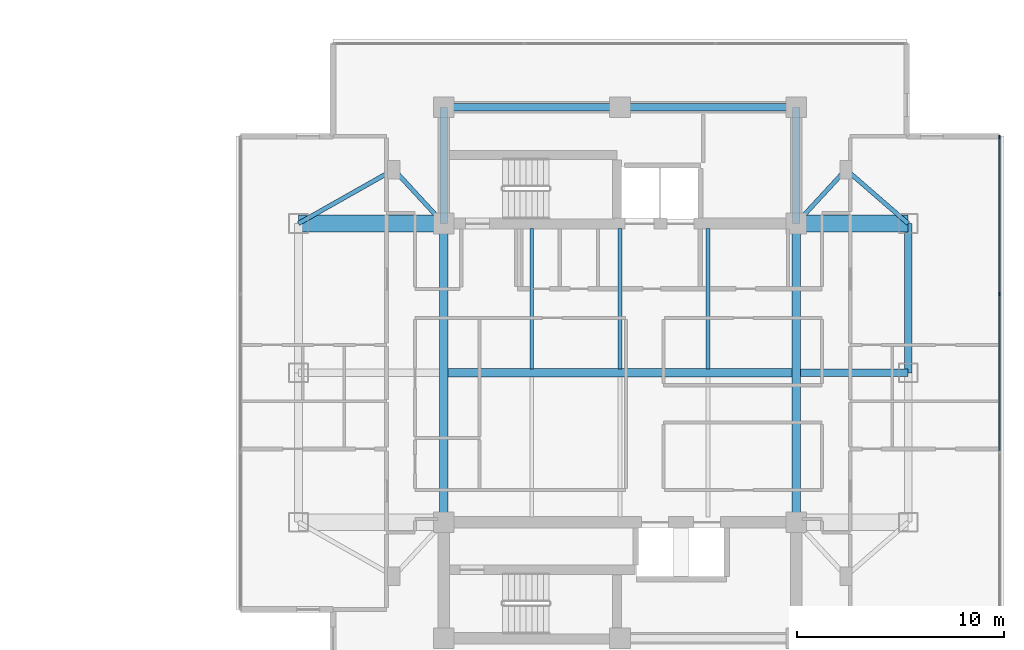
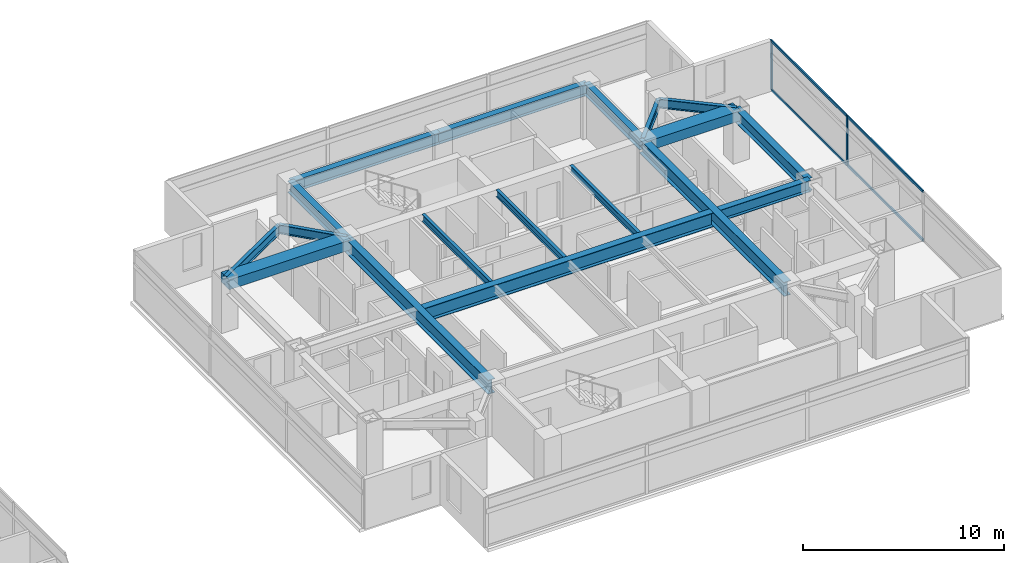
# One storey, part 9 of 25: 18 beams, 6 members, 1 element without a shape of its own.
"""IFC4 building model written with IfcOpenShell, lengths in metres."""

from ifc_helpers import new_model, si_unit, direction, frame, origin, origin_2d, place, context, subcontext, project, spatial, rectangle, i_section, extrude, material, material_profile, profile_set, type_object, element, aggregate, save


model = new_model("IFC4")

# Units and contexts
model_context = context("Model", 3, precision=1e-05, world=origin(), true_north=direction((0.0, 1.0)))
body_context = subcontext(model_context, "Body", "Model", "MODEL_VIEW")
ifc_project = project(units=[si_unit("LENGTHUNIT", "METRE"), si_unit("AREAUNIT", "SQUARE_METRE"), si_unit("VOLUMEUNIT", "CUBIC_METRE"), si_unit("PLANEANGLEUNIT", "RADIAN"), si_unit("MASSUNIT", "GRAM", prefix="KILO")], contexts=[model_context])

# Site, building, storey
site_placement = place(None, origin())
site = spatial("IfcSite", under=ifc_project, at=site_placement, CompositionType="ELEMENT")
building_placement = place(site_placement, origin())
building = spatial("IfcBuilding", under=site, at=building_placement, Name="Mirazonda Arch Towers", CompositionType="ELEMENT")
storey_placement = place(building_placement, frame((0.0, 0.0, 177.14990234375)))
storey = spatial("IfcBuildingStorey", under=building, at=storey_placement, Name="L50", CompositionType="ELEMENT", Elevation=177.14990234375)

# Beams
ifc_material_1 = material(Name="Steel ASTM A992 Grade 50", Category="steel")
ifc_material_profile_1 = material_profile(ifc_material_1, i_section(OverallWidth=0.381103515625, OverallDepth=0.77294921875, WebThickness=0.0166015625, FlangeThickness=0.027099609375, at=origin_2d()), Name="W30X173")
ifc_profile_set_1 = profile_set([ifc_material_profile_1], Name="Steel ASTM A992 Grade 50")
beam_type_1 = type_object("IfcBeamType", Name="BM-EXT-W30X173", PredefinedType="USERDEFINED", material=ifc_profile_set_1)
beam_1_placement = place(storey_placement, frame((90.39990234375, 28.0, 2.66357421875), z_axis=(0.0, 1.0, 0.0), x_axis=(-1.0, 0.0, 0.0)))
element("IfcBeam", 1, at=beam_1_placement, inside=storey, type_object=beam_type_1, Name="L50 Floor Beam BM-T2-L50-NS-E-28", ObjectType="GIRDER", PredefinedType="USERDEFINED", context=body_context, shape_type="SweptSolid", body=[
    extrude(i_section(OverallWidth=0.381103515625, OverallDepth=0.77294921875, WebThickness=0.0166015625, FlangeThickness=0.027099609375, at=origin_2d()), origin(), (0.0, 0.0, 1.0), 7.199951171875),
])
ifc_material_profile_2 = material_profile(ifc_material_1, i_section(OverallWidth=0.180908203125, OverallDepth=0.4169921875, WebThickness=0.010986328125, FlangeThickness=0.018310546875, at=origin_2d()), Name="W16X57")
ifc_profile_set_2 = profile_set([ifc_material_profile_2], Name="Steel ASTM A992 Grade 50")
beam_type_2 = type_object("IfcBeamType", Name="BM-INT-W16X57", PredefinedType="JOIST", material=ifc_profile_set_2)
for number, where, z_axis, x_axis, name in (
    (2, (72.25, 28.196044921875, 2.841552734375), (0.0, 1.0, 0.0), (-1.0, 0.0, 0.0), "L50 Floor Beam BM-T2-L50-J-722-28"),
    (3, (76.5, 28.196044921875, 2.841552734375), (0.0, 1.0, 0.0), (-1.0, 0.0, 0.0), "L50 Floor Beam BM-T2-L50-J-765-28"),
    (4, (80.75, 28.196044921875, 2.841552734375), (0.0, 1.0, 0.0), (-1.0, 0.0, 0.0), "L50 Floor Beam BM-T2-L50-J-807-28"),
):
    element("IfcBeam", number, at=place(storey_placement, frame(where, z_axis=z_axis, x_axis=x_axis)), inside=storey, type_object=beam_type_2, Name=name, PredefinedType="JOIST", context=body_context, shape_type="SweptSolid", body=[
        extrude(i_section(OverallWidth=0.180908203125, OverallDepth=0.4169921875, WebThickness=0.010986328125, FlangeThickness=0.018310546875, at=origin_2d()), origin(), (0.0, 0.0, 1.0), 6.763916015625),
    ])
ifc_material_profile_3 = material_profile(ifc_material_1, i_section(OverallWidth=0.214111328125, OverallDepth=0.549072265625, WebThickness=0.0146484375, FlangeThickness=0.023681640625, at=origin_2d()), Name="W21X93")
ifc_profile_set_3 = profile_set([ifc_material_profile_3], Name="Steel ASTM A992 Grade 50")
beam_type_3 = type_object("IfcBeamType", Name="BM-INT-W21X93", PredefinedType="BEAM", material=ifc_profile_set_3)
beam_2_placement = place(storey_placement, frame((65.60009765625, 37.800048828125, 2.775634765625), z_axis=(0.678251444854, -0.734829897019, 0.0), x_axis=(0.734829897019, 0.678251444854, 0.0)))
element("IfcBeam", 5, at=beam_2_placement, inside=storey, type_object=beam_type_3, Name="L50 Floor Beam BM-T2-L50-PL-NW1", PredefinedType="BEAM", context=body_context, shape_type="SweptSolid", body=[
    extrude(i_section(OverallWidth=0.214111328125, OverallDepth=0.549072265625, WebThickness=0.0146484375, FlangeThickness=0.023681640625, at=origin_2d()), origin(), (0.0, 0.0, 1.0), 3.538330078125),
])
beam_3_placement = place(storey_placement, frame((65.60009765625, 37.800048828125, 2.775634765625), z_axis=(-0.870559396632, -0.492063346467, 0.0), x_axis=(0.492063346467, -0.870559396632, 0.0)))
element("IfcBeam", 6, at=beam_3_placement, inside=storey, type_object=beam_type_3, Name="L50 Floor Beam BM-T2-L50-PL-NW2", PredefinedType="BEAM", context=body_context, shape_type="SweptSolid", body=[
    extrude(i_section(OverallWidth=0.214111328125, OverallDepth=0.549072265625, WebThickness=0.0146484375, FlangeThickness=0.023681640625, at=origin_2d()), origin(), (0.0, 0.0, 1.0), 5.2841796875),
])
beam_4_placement = place(storey_placement, frame((87.39990234375, 37.800048828125, 2.775634765625), z_axis=(-0.678251444854, -0.734829897019, 0.0), x_axis=(0.734829897019, -0.678251444854, 0.0)))
element("IfcBeam", 7, at=beam_4_placement, inside=storey, type_object=beam_type_3, Name="L50 Floor Beam BM-T2-L50-PL-NE1", PredefinedType="BEAM", context=body_context, shape_type="SweptSolid", body=[
    extrude(i_section(OverallWidth=0.214111328125, OverallDepth=0.549072265625, WebThickness=0.0146484375, FlangeThickness=0.023681640625, at=origin_2d()), origin(), (0.0, 0.0, 1.0), 3.538330078125),
])
beam_5_placement = place(storey_placement, frame((87.39990234375, 37.800048828125, 2.775634765625), z_axis=(0.755676908098, -0.654944585876, 0.0), x_axis=(0.654944585876, 0.755676908098, 0.0)))
element("IfcBeam", 8, at=beam_5_placement, inside=storey, type_object=beam_type_3, Name="L50 Floor Beam BM-T2-L50-PL-NE2", PredefinedType="BEAM", context=body_context, shape_type="SweptSolid", body=[
    extrude(i_section(OverallWidth=0.214111328125, OverallDepth=0.549072265625, WebThickness=0.0146484375, FlangeThickness=0.023681640625, at=origin_2d()), origin(), (0.0, 0.0, 1.0), 3.969970703125),
])
ifc_material_profile_4 = material_profile(ifc_material_1, i_section(OverallWidth=0.35498046875, OverallDepth=0.696044921875, WebThickness=0.015380859375, FlangeThickness=0.02490234375, at=origin_2d()), Name="W27X146")
ifc_profile_set_4 = profile_set([ifc_material_profile_4], Name="Steel ASTM A992 Grade 50")
beam_type_4 = type_object("IfcBeamType", Name="BM-INT-W27X146", PredefinedType="BEAM", material=ifc_profile_set_4)
for number, where, z_axis, x_axis, name in (
    (9, (68.0, 40.800048828125, 2.7021484375), (1.0, 0.0, 0.0), (0.0, 1.0, 0.0), "L50 Floor Beam BM-T2-L50-CN1"),
    (10, (76.5, 40.800048828125, 2.7021484375), (1.0, 0.0, 0.0), (0.0, 1.0, 0.0), "L50 Floor Beam BM-T2-L50-CN2"),
):
    element("IfcBeam", number, at=place(storey_placement, frame(where, z_axis=z_axis, x_axis=x_axis)), inside=storey, type_object=beam_type_4, Name=name, PredefinedType="BEAM", context=body_context, shape_type="SweptSolid", body=[
        extrude(i_section(OverallWidth=0.35498046875, OverallDepth=0.696044921875, WebThickness=0.015380859375, FlangeThickness=0.02490234375, at=origin_2d()), origin(), (0.0, 0.0, 1.0), 8.5),
    ])
for number, where, z_axis, x_axis, name in (
    (11, (68.0, 35.199951171875, 2.7021484375), (0.0, 1.0, 0.0), (-1.0, 0.0, 0.0), "L50 Floor Beam BM-T2-L50-CNW"),
    (12, (85.0, 35.199951171875, 2.7021484375), (0.0, 1.0, 0.0), (-1.0, 0.0, 0.0), "L50 Floor Beam BM-T2-L50-CNE"),
):
    element("IfcBeam", number, at=place(storey_placement, frame(where, z_axis=z_axis, x_axis=x_axis)), inside=storey, type_object=beam_type_4, Name=name, PredefinedType="BEAM", context=body_context, shape_type="SweptSolid", body=[
        extrude(i_section(OverallWidth=0.35498046875, OverallDepth=0.696044921875, WebThickness=0.015380859375, FlangeThickness=0.02490234375, at=origin_2d()), origin(), (0.0, 0.0, 1.0), 5.60009765625),
    ])
beam_6_placement = place(storey_placement, frame((85.199951171875, 28.0, 2.7021484375), z_axis=(1.0, 0.0, 0.0), x_axis=(0.0, 1.0, 0.0)))
element("IfcBeam", 13, at=beam_6_placement, inside=storey, type_object=beam_type_4, Name="L50 Floor Beam BM-T2-L50-GE2", PredefinedType="BEAM", context=body_context, shape_type="SweptSolid", body=[
    extrude(i_section(OverallWidth=0.35498046875, OverallDepth=0.696044921875, WebThickness=0.015380859375, FlangeThickness=0.02490234375, at=origin_2d()), origin(), (0.0, 0.0, 1.0), 5.199951171875),
])
ifc_material_profile_5 = material_profile(ifc_material_1, i_section(OverallWidth=0.39990234375, OverallDepth=0.85595703125, WebThickness=0.018310546875, FlangeThickness=0.029296875, at=origin_2d()), Name="W33X201")
ifc_profile_set_5 = profile_set([ifc_material_profile_5], Name="Steel ASTM A992 Grade 50")
beam_type_5 = type_object("IfcBeamType", Name="BM-INT-W33X201", PredefinedType="USERDEFINED", material=ifc_profile_set_5)
beam_7_placement = place(storey_placement, frame((68.199951171875, 28.0, 2.6220703125), z_axis=(1.0, 0.0, 0.0), x_axis=(0.0, 1.0, 0.0)))
element("IfcBeam", 14, at=beam_7_placement, inside=storey, type_object=beam_type_5, Name="L50 Floor Beam BM-T2-L50-GC2", ObjectType="GIRDER", PredefinedType="USERDEFINED", context=body_context, shape_type="SweptSolid", body=[
    extrude(i_section(OverallWidth=0.39990234375, OverallDepth=0.85595703125, WebThickness=0.018310546875, FlangeThickness=0.029296875, at=origin_2d()), origin(), (0.0, 0.0, 1.0), 16.60009765625),
])
for number, where, z_axis, x_axis, name in (
    (15, (68.0, 20.800048828125, 2.6220703125), (0.0, 1.0, 0.0), (-1.0, 0.0, 0.0), "L50 Floor Beam BM-T2-L50-NS-CW-FULL"),
    (16, (85.0, 20.800048828125, 2.6220703125), (0.0, 1.0, 0.0), (-1.0, 0.0, 0.0), "L50 Floor Beam BM-T2-L50-NS-CE-FULL"),
):
    element("IfcBeam", number, at=place(storey_placement, frame(where, z_axis=z_axis, x_axis=x_axis)), inside=storey, type_object=beam_type_5, Name=name, ObjectType="GIRDER", PredefinedType="USERDEFINED", context=body_context, shape_type="SweptSolid", body=[
        extrude(i_section(OverallWidth=0.39990234375, OverallDepth=0.85595703125, WebThickness=0.018310546875, FlangeThickness=0.029296875, at=origin_2d()), origin(), (0.0, 0.0, 1.0), 14.39990234375),
    ])
ifc_material_2 = material(Name="Concrete C60/75", Category="concrete")
ifc_material_profile_6 = material_profile(ifc_material_2, rectangle(XDim=0.800048828125, YDim=0.60009765625, at=origin_2d()), Name="RCCB800x600")
ifc_profile_set_6 = profile_set([ifc_material_profile_6], Name="Concrete C60/75")
beam_type_6 = type_object("IfcBeamType", Name="CB-INT-RCCB800x600", PredefinedType="SPANDREL", material=ifc_profile_set_6)
beam_8_placement = place(storey_placement, frame((61.0, 35.199951171875, 2.75), z_axis=(1.0, 0.0, 0.0), x_axis=(0.0, 1.0, 0.0)))
element("IfcBeam", 17, at=beam_8_placement, inside=storey, type_object=beam_type_6, Name="L50 Floor Beam CBC-T2-L50-NW", PredefinedType="SPANDREL", context=body_context, shape_type="SweptSolid", body=[
    extrude(rectangle(XDim=0.800048828125, YDim=0.60009765625, at=origin_2d()), origin(), (0.0, 0.0, 1.0), 7.0),
])
beam_9_placement = place(storey_placement, frame((85.0, 35.199951171875, 2.75), z_axis=(1.0, 0.0, 0.0), x_axis=(0.0, 1.0, 0.0)))
element("IfcBeam", 18, at=beam_9_placement, inside=storey, type_object=beam_type_6, Name="L50 Floor Beam CBC-T2-L50-NE", PredefinedType="SPANDREL", context=body_context, shape_type="SweptSolid", body=[
    extrude(rectangle(XDim=0.800048828125, YDim=0.60009765625, at=origin_2d()), origin(), (0.0, 0.0, 1.0), 5.39990234375),
])

# Curtain wall, members
ifc_material_3 = material(Name="Anodised Aluminium and Low-E Glass", Category="aluminium")
curtain_wall_type = type_object("IfcCurtainWallType", Name="CW-RES-UNIT", PredefinedType="NOTDEFINED", material=ifc_material_3)
curtain_wall_placement = place(storey_placement, origin())
curtain_wall = element("IfcCurtainWall", 19, at=curtain_wall_placement, inside=storey, type_object=curtain_wall_type, Name="L50 T2 E Facade CW-L50-T2-E", PredefinedType="NOTDEFINED")
ifc_material_4 = material(Name="Anodised Aluminium Alloy", Category="aluminium")
ifc_material_profile_7 = material_profile(ifc_material_4, rectangle(XDim=0.074951171875, YDim=0.175048828125, at=origin_2d()), Name="ALU-MULL-75x175")
ifc_profile_set_7 = profile_set([ifc_material_profile_7], Name="Anodised Aluminium Alloy")
member_type_1 = type_object("IfcMemberType", Name="MULL-CW-RES-UNIT", PredefinedType="MULLION", material=ifc_profile_set_7)
member_1_placement = place(storey_placement, frame((94.798583984375, 31.80322265625, 0.0), z_axis=(0.0, 0.0, 1.0), x_axis=(-1.0, 0.0, 0.0)))
member_1 = element("IfcMember", 20, at=member_1_placement, type_object=member_type_1, Name="CW-104 mullion 3", PredefinedType="MULLION", context=body_context, shape_type="SweptSolid", body=[
    extrude(rectangle(XDim=0.074951171875, YDim=0.175048828125, at=origin_2d()), origin(), (0.0, 0.0, 1.0), 3.030029296875),
])
member_2_placement = place(storey_placement, frame((94.798583984375, 39.371826171875, 0.0), z_axis=(0.0, 0.0, 1.0), x_axis=(-1.0, 0.0, 0.0)))
member_2 = element("IfcMember", 21, at=member_2_placement, type_object=member_type_1, Name="CW-104 mullion 4", PredefinedType="MULLION", context=body_context, shape_type="SweptSolid", body=[
    extrude(rectangle(XDim=0.074951171875, YDim=0.175048828125, at=origin_2d()), origin(), (0.0, 0.0, 1.0), 3.030029296875),
])
ifc_material_profile_8 = material_profile(ifc_material_4, rectangle(XDim=0.074951171875, YDim=0.155029296875, at=origin_2d()), Name="ALU-TRAN-75x155")
ifc_profile_set_8 = profile_set([ifc_material_profile_8], Name="Anodised Aluminium Alloy")
member_type_2 = type_object("IfcMemberType", Name="TRAN-CW-RES-UNIT", PredefinedType="USERDEFINED", material=ifc_profile_set_8)
member_3_placement = place(storey_placement, frame((94.798583984375, 24.234375, 0.03759765625), z_axis=(0.0, 1.0, 0.0), x_axis=(-1.0, 0.0, 0.0)))
member_3 = element("IfcMember", 22, at=member_3_placement, type_object=member_type_2, Name="CW-104 transom 2.1", ObjectType="TRANSOM", PredefinedType="USERDEFINED", context=body_context, shape_type="SweptSolid", body=[
    extrude(rectangle(XDim=0.074951171875, YDim=0.155029296875, at=origin_2d()), origin(), (0.0, 0.0, 1.0), 7.53125),
])
member_4_placement = place(storey_placement, frame((94.798583984375, 24.234375, 2.99267578125), z_axis=(0.0, 1.0, 0.0), x_axis=(-1.0, 0.0, 0.0)))
member_4 = element("IfcMember", 23, at=member_4_placement, type_object=member_type_2, Name="CW-104 transom 2.2", ObjectType="TRANSOM", PredefinedType="USERDEFINED", context=body_context, shape_type="SweptSolid", body=[
    extrude(rectangle(XDim=0.074951171875, YDim=0.155029296875, at=origin_2d()), origin(), (0.0, 0.0, 1.0), 7.53125),
])
member_5_placement = place(storey_placement, frame((94.798583984375, 31.840576171875, 0.03759765625), z_axis=(0.0, 1.0, 0.0), x_axis=(-1.0, 0.0, 0.0)))
member_5 = element("IfcMember", 24, at=member_5_placement, type_object=member_type_2, Name="CW-104 transom 3.1", ObjectType="TRANSOM", PredefinedType="USERDEFINED", context=body_context, shape_type="SweptSolid", body=[
    extrude(rectangle(XDim=0.074951171875, YDim=0.155029296875, at=origin_2d()), origin(), (0.0, 0.0, 1.0), 7.493896484375),
])
member_6_placement = place(storey_placement, frame((94.798583984375, 31.840576171875, 2.99267578125), z_axis=(0.0, 1.0, 0.0), x_axis=(-1.0, 0.0, 0.0)))
member_6 = element("IfcMember", 25, at=member_6_placement, type_object=member_type_2, Name="CW-104 transom 3.2", ObjectType="TRANSOM", PredefinedType="USERDEFINED", context=body_context, shape_type="SweptSolid", body=[
    extrude(rectangle(XDim=0.074951171875, YDim=0.155029296875, at=origin_2d()), origin(), (0.0, 0.0, 1.0), 7.493896484375),
])
aggregate(curtain_wall, [member_1, member_2, member_3, member_4, member_5, member_6])

save(model, "model.ifc")
